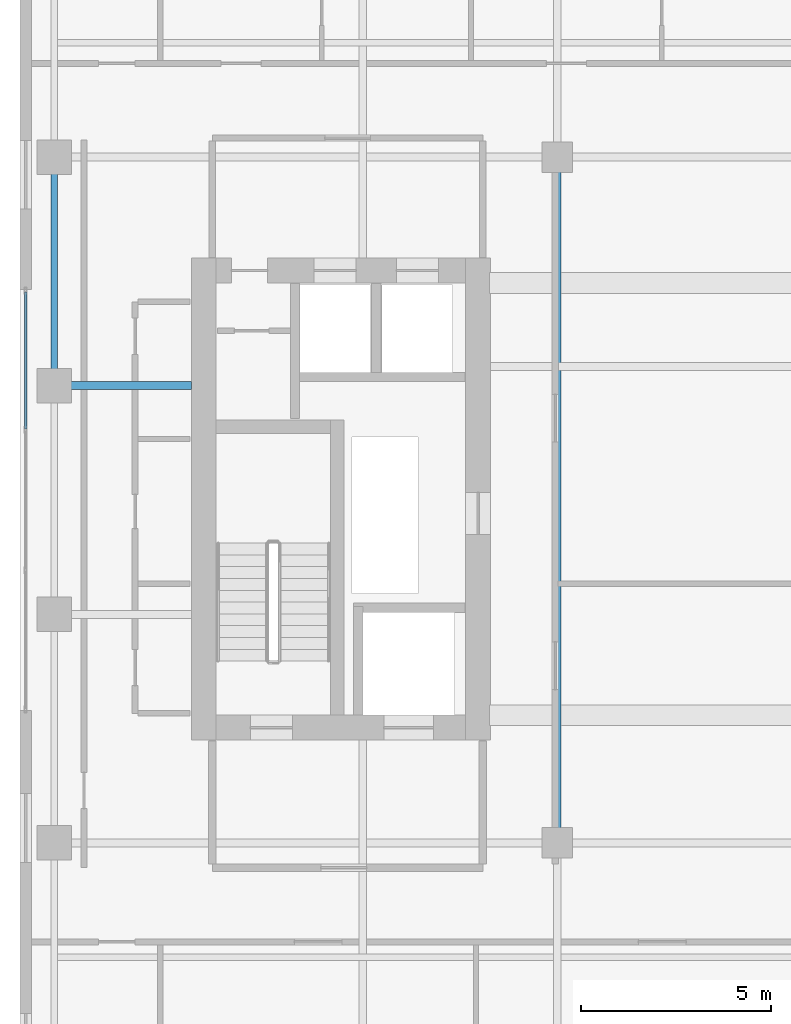
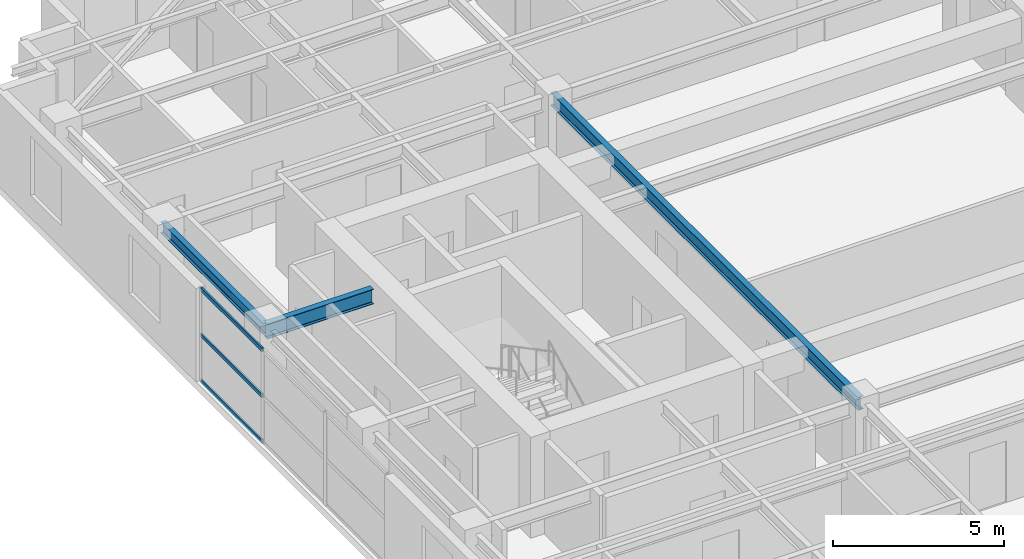
# One storey, part 3 of 14: 3 beams, 3 members, 1 element without a shape of its own.
"""IFC4 building model written with IfcOpenShell, lengths in metres."""

from ifc_helpers import new_model, si_unit, direction, frame, origin, origin_2d, place, context, subcontext, project, spatial, hollow_rectangle, i_section, extrude, source, transform, mapped, material, layer, layer_set, material_profile, profile_set, type_object, element, aggregate, save


model = new_model("IFC4")

# Units and contexts
model_context = context("Model", 3, precision=1e-05, world=origin(), true_north=direction((0.0, 1.0)))
body_context = subcontext(model_context, "Body", "Model", "MODEL_VIEW")
ifc_project = project(units=[si_unit("LENGTHUNIT", "METRE"), si_unit("AREAUNIT", "SQUARE_METRE"), si_unit("VOLUMEUNIT", "CUBIC_METRE"), si_unit("PLANEANGLEUNIT", "RADIAN"), si_unit("MASSUNIT", "GRAM", prefix="KILO")], contexts=[model_context])

# Site, building, storey
site_placement = place(None, origin())
site = spatial("IfcSite", under=ifc_project, at=site_placement, CompositionType="ELEMENT")
building_placement = place(site_placement, origin())
building = spatial("IfcBuilding", under=site, at=building_placement, Name="Khoralis Quay Care Tower", CompositionType="ELEMENT")
storey_placement = place(building_placement, frame((0.0, 0.0, 177.300048828125)))
storey = spatial("IfcBuildingStorey", under=building, at=storey_placement, Name="L46", CompositionType="ELEMENT", Elevation=177.300048828125)

# Beams
ifc_material_1 = material(Name="Steel S355", Category="steel")
ifc_material_profile_1 = material_profile(ifc_material_1, i_section(OverallWidth=0.179931640625, OverallDepth=0.39990234375, WebThickness=0.008544921875, FlangeThickness=0.013427734375, FilletRadius=0.02099609375, at=origin_2d()), Name="Steel S355")
ifc_profile_set_1 = profile_set([ifc_material_profile_1], Name="Steel S355")
beam_type_1 = type_object("IfcBeamType", Name="BM-IPE400", PredefinedType="SPANDREL", material=ifc_profile_set_1)
shared_shape_1 = source(origin(), body_context, "Body", "SweptSolid", [
    extrude(i_section(OverallWidth=0.179931640625, OverallDepth=0.39990234375, WebThickness=0.008544921875, FlangeThickness=0.013427734375, FilletRadius=0.02099609375, at=origin_2d()), origin(), (0.0, 0.0, 1.0), 6.0),
])
beam_1_placement = place(storey_placement, frame((3.89990234375, 24.0, 3.139892578125), z_axis=(0.0, 1.0, 0.0), x_axis=(-1.0, 0.0, 0.0)))
element("IfcBeam", 1, at=beam_1_placement, inside=storey, type_object=beam_type_1, Name="BM-TSP-L46-12", PredefinedType="SPANDREL", context=body_context, shape_type="MappedRepresentation", body=[
    mapped(shared_shape_1, transform((0.0, 0.0, 0.0), scale=1.0)),
])
ifc_material_profile_2 = material_profile(ifc_material_1, i_section(OverallWidth=0.208984375, OverallDepth=0.532958984375, WebThickness=0.01025390625, FlangeThickness=0.015625, FilletRadius=0.01611328125, at=origin_2d()), Name="Steel S355")
ifc_profile_set_2 = profile_set([ifc_material_profile_2], Name="Steel S355")
beam_type_2 = type_object("IfcBeamType", Name="BM-W530X92", PredefinedType="BEAM", material=ifc_profile_set_2)
shared_shape_2 = source(origin(), body_context, "Body", "SweptSolid", [
    extrude(i_section(OverallWidth=0.208984375, OverallDepth=0.532958984375, WebThickness=0.01025390625, FlangeThickness=0.015625, FilletRadius=0.01611328125, at=origin_2d()), origin(), (0.0, 0.0, 1.0), 3.60205078125),
])
beam_2_placement = place(storey_placement, frame((3.89990234375, 24.0, 3.073486328125), z_axis=(1.0, 0.0, 0.0), x_axis=(0.0, 1.0, 0.0)))
element("IfcBeam", 2, at=beam_2_placement, inside=storey, type_object=beam_type_2, Name="BM-TGXW-L46-240", PredefinedType="BEAM", context=body_context, shape_type="MappedRepresentation", body=[
    mapped(shared_shape_2, transform((0.0, 0.0, 0.0), scale=1.0)),
])
ifc_material_profile_3 = material_profile(ifc_material_1, i_section(OverallWidth=0.19189453125, OverallDepth=0.462890625, WebThickness=0.010498046875, FlangeThickness=0.017578125, FilletRadius=0.014892578125, at=origin_2d()), Name="Steel S355")
ifc_profile_set_3 = profile_set([ifc_material_profile_3], Name="Steel S355")
beam_type_3 = type_object("IfcBeamType", Name="BM-W460X89", PredefinedType="BEAM", material=ifc_profile_set_3)
shared_shape_3 = source(origin(), body_context, "Body", "SweptSolid", [
    extrude(i_section(OverallWidth=0.19189453125, OverallDepth=0.462890625, WebThickness=0.010498046875, FlangeThickness=0.017578125, FilletRadius=0.014892578125, at=origin_2d()), origin(), (0.0, 0.0, 1.0), 18.0),
])
beam_3_placement = place(storey_placement, frame((17.10009765625, 12.0, 3.1083984375), z_axis=(0.0, 1.0, 0.0), x_axis=(-1.0, 0.0, 0.0)))
element("IfcBeam", 3, at=beam_3_placement, inside=storey, type_object=beam_type_3, Name="BM-TGSW-L46", PredefinedType="BEAM", context=body_context, shape_type="MappedRepresentation", body=[
    mapped(shared_shape_3, transform((0.0, 0.0, 0.0), scale=1.0)),
])

# Curtain wall, members
ifc_material_2 = material(Name="Pale anodised aluminium", Category="aluminium")
ifc_layer = layer(ifc_material_2, 0.159912109375)
ifc_layer_set = layer_set([ifc_layer], Name="Pale anodised aluminium")
curtain_wall_type = type_object("IfcCurtainWallType", Name="CW-SYS-Z3", PredefinedType="NOTDEFINED", material=ifc_layer_set)
curtain_wall_placement = place(storey_placement, origin())
curtain_wall = element("IfcCurtainWall", 4, at=curtain_wall_placement, inside=storey, type_object=curtain_wall_type, Name="L46 Unitised Curtain Wall CW-L46-P1-E15", PredefinedType="NOTDEFINED")
ifc_material_profile_4 = material_profile(ifc_material_2, hollow_rectangle(XDim=0.06005859375, YDim=0.139892578125, WallThickness=0.00390625, at=origin_2d()), Name="Pale anodised aluminium")
ifc_profile_set_4 = profile_set([ifc_material_profile_4], Name="Pale anodised aluminium")
member_type = type_object("IfcMemberType", Name="CW-TRN-140", PredefinedType="USERDEFINED", material=ifc_profile_set_4)
shared_shape_4 = source(origin(), body_context, "Body", "SweptSolid", [
    extrude(hollow_rectangle(XDim=0.06005859375, YDim=0.139892578125, WallThickness=0.00390625, at=origin_2d()), origin(), (0.0, 0.0, 1.0), 3.58984375),
])
member_1_placement = place(storey_placement, frame((3.14990234375, 26.4599609375, 0.030029296875), z_axis=(0.0, -1.0, 0.0), x_axis=(1.0, 0.0, 0.0)))
member_1 = element("IfcMember", 5, at=member_1_placement, type_object=member_type, Name="CW3 transom 1.1", ObjectType="TRANSOM", PredefinedType="USERDEFINED", context=body_context, shape_type="MappedRepresentation", body=[
    mapped(shared_shape_4, transform((0.0, 0.0, 0.0), scale=1.0)),
])
member_2_placement = place(storey_placement, frame((3.14990234375, 26.4599609375, 1.669921875), z_axis=(0.0, -1.0, 0.0), x_axis=(1.0, 0.0, 0.0)))
member_2 = element("IfcMember", 6, at=member_2_placement, type_object=member_type, Name="CW3 transom 1.2", ObjectType="TRANSOM", PredefinedType="USERDEFINED", context=body_context, shape_type="MappedRepresentation", body=[
    mapped(shared_shape_4, transform((0.0, 0.0, 0.0), scale=1.0)),
])
member_3_placement = place(storey_placement, frame((3.14990234375, 26.4599609375, 3.31005859375), z_axis=(0.0, -1.0, 0.0), x_axis=(1.0, 0.0, 0.0)))
member_3 = element("IfcMember", 7, at=member_3_placement, type_object=member_type, Name="CW3 transom 1.3", ObjectType="TRANSOM", PredefinedType="USERDEFINED", context=body_context, shape_type="MappedRepresentation", body=[
    mapped(shared_shape_4, transform((0.0, 0.0, 0.0), scale=1.0)),
])
aggregate(curtain_wall, [member_1, member_2, member_3])

save(model, "model.ifc")
